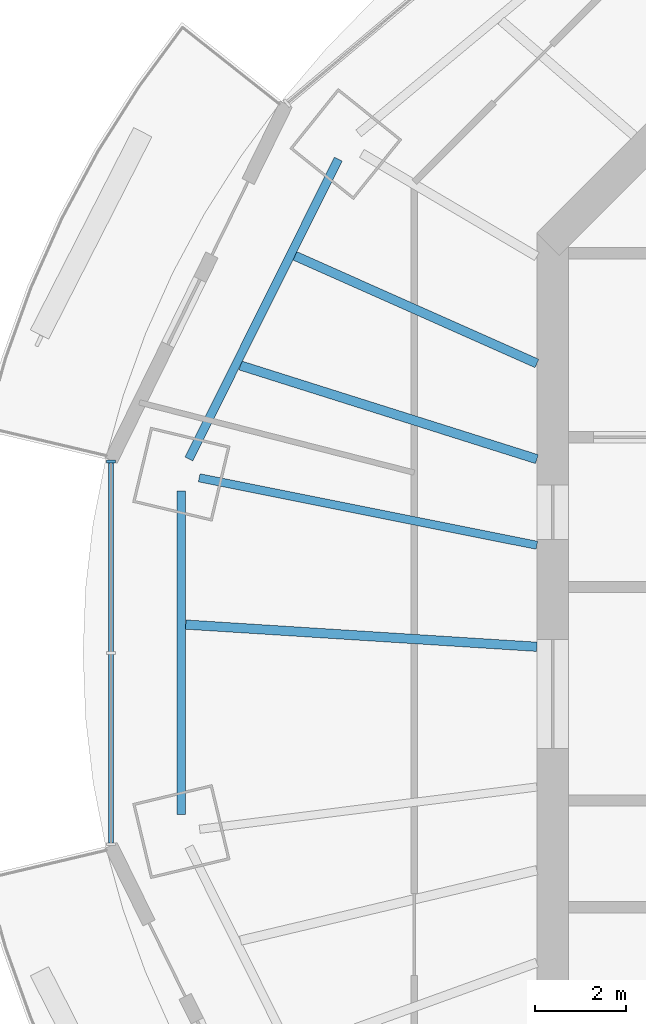
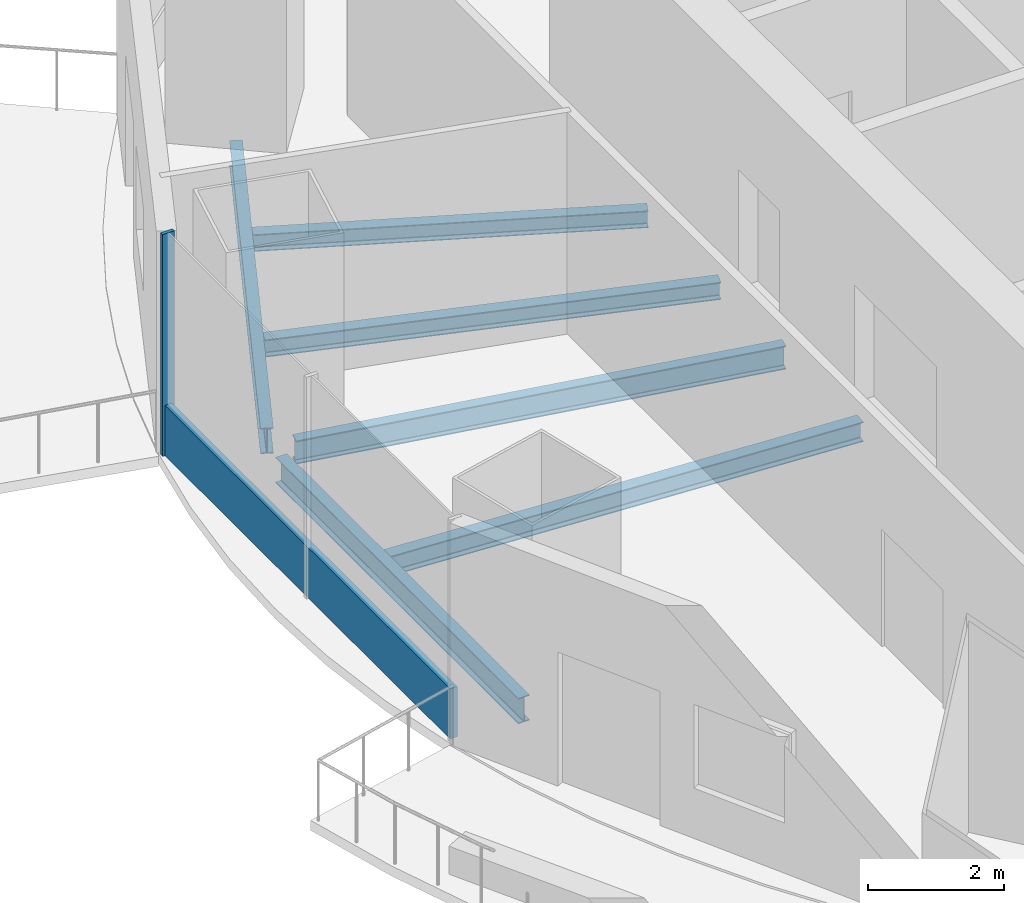
# One storey, part 3 of 16: 6 beams, 2 members, 1 element without a shape of its own.
"""IFC4 building model written with IfcOpenShell, lengths in metres."""

from ifc_helpers import new_model, si_unit, direction, frame, origin, origin_2d, place, context, subcontext, project, spatial, rectangle, i_section, extrude, material, material_profile, profile_set, type_object, element, aggregate, save


model = new_model("IFC4")

# Units and contexts
model_context = context("Model", 3, precision=1e-05, world=origin(), true_north=direction((0.0, 1.0)))
body_context = subcontext(model_context, "Body", "Model", "MODEL_VIEW")
ifc_project = project(units=[si_unit("LENGTHUNIT", "METRE"), si_unit("AREAUNIT", "SQUARE_METRE"), si_unit("VOLUMEUNIT", "CUBIC_METRE"), si_unit("PLANEANGLEUNIT", "RADIAN"), si_unit("MASSUNIT", "GRAM", prefix="KILO")], contexts=[model_context])

# Site, building, storey
site_placement = place(None, origin())
site = spatial("IfcSite", under=ifc_project, at=site_placement, CompositionType="ELEMENT")
building_placement = place(site_placement, origin())
building = spatial("IfcBuilding", under=site, at=building_placement, Name="Marenthal Gate Tower", CompositionType="ELEMENT")
storey_placement = place(building_placement, frame((0.0, 0.0, 379.949951171875)))
storey = spatial("IfcBuildingStorey", under=building, at=storey_placement, Name="L86", CompositionType="ELEMENT", Elevation=379.949951171875)

# Curtain wall, members
ifc_material_1 = material(Name="Aluminium and glass", Category="aluminium")
curtain_wall_type = type_object("IfcCurtainWallType", Name="Curtain wall typical high", PredefinedType="NOTDEFINED", material=ifc_material_1)
curtain_wall_placement = place(storey_placement, origin())
curtain_wall = element("IfcCurtainWall", 1, at=curtain_wall_placement, inside=storey, type_object=curtain_wall_type, Name="Curtain wall L86 bay 8", PredefinedType="NOTDEFINED")
ifc_material_2 = material(Name="Aluminium", Category="aluminium")
ifc_material_profile_1 = material_profile(ifc_material_2, rectangle(XDim=0.199951171875, YDim=0.06005859375, at=origin_2d()), Name="60x200 aluminium mullion")
ifc_profile_set_1 = profile_set([ifc_material_profile_1], Name="Aluminium")
member_type_1 = type_object("IfcMemberType", Name="Mullion 60x200 typical high", PredefinedType="MULLION", material=ifc_profile_set_1)
member_1_placement = place(storey_placement, frame((-25.725830078125, 5.1123046875, 0.0), z_axis=(0.0, 0.0, 1.0), x_axis=(1.0, 0.0, 0.0)))
member_1 = element("IfcMember", 2, at=member_1_placement, type_object=member_type_1, Name="Mullion L86 bay 8.1", PredefinedType="MULLION", context=body_context, shape_type="SweptSolid", body=[
    extrude(rectangle(XDim=0.199951171875, YDim=0.06005859375, at=origin_2d()), origin(), (0.0, 0.0, 1.0), 3.969970703125),
])
ifc_material_3 = material(Name="Aluminium", Category="aluminium")
ifc_material_profile_2 = material_profile(ifc_material_3, rectangle(XDim=0.1201171875, YDim=0.89990234375, at=origin_2d()), Name="120x900 aluminium transom")
ifc_profile_set_2 = profile_set([ifc_material_profile_2], Name="Aluminium")
member_type_2 = type_object("IfcMemberType", Name="Transom 120x900 typical high", PredefinedType="USERDEFINED", material=ifc_profile_set_2)
member_2_placement = place(storey_placement, frame((-25.725830078125, 5.082275390625, 0.449951171875), z_axis=(0.0, -1.0, 0.0), x_axis=(1.0, 0.0, 0.0)))
member_2 = element("IfcMember", 3, at=member_2_placement, type_object=member_type_2, Name="Transom L86 bay 8", ObjectType="TRANSOM", PredefinedType="USERDEFINED", context=body_context, shape_type="SweptSolid", body=[
    extrude(rectangle(XDim=0.1201171875, YDim=0.89990234375, at=origin_2d()), origin(), (0.0, 0.0, 1.0), 8.364501953125),
])
aggregate(curtain_wall, [member_1, member_2])

# Beams
ifc_material_4 = material(Name="Steel S355", Category="steel")
ifc_material_profile_3 = material_profile(ifc_material_4, i_section(OverallWidth=0.202880859375, OverallDepth=0.302001953125, WebThickness=0.007568359375, FlangeThickness=0.01318359375, FilletRadius=0.0126953125, at=origin_2d()), Name="W310X60")
ifc_profile_set_3 = profile_set([ifc_material_profile_3], Name="Steel S355")
beam_type_1 = type_object("IfcBeamType", Name="W310X60 beam", PredefinedType="BEAM", material=ifc_profile_set_3)
beam_1_placement = place(storey_placement, frame((-21.67578125, 9.64111328125, -0.3310546875), z_axis=(0.913704426496, -0.406379405238, 0.0), x_axis=(0.406379405238, 0.913704426496, 0.0)))
element("IfcBeam", 4, at=beam_1_placement, inside=storey, type_object=beam_type_1, Name="BM-L86-26", PredefinedType="BEAM", context=body_context, shape_type="SweptSolid", body=[
    extrude(i_section(OverallWidth=0.202880859375, OverallDepth=0.302001953125, WebThickness=0.007568359375, FlangeThickness=0.01318359375, FilletRadius=0.0126953125, at=origin_2d()), origin(), (0.0, 0.0, 1.0), 5.82861328125),
])
ifc_material_5 = material(Name="Steel S355", Category="steel")
ifc_material_profile_4 = material_profile(ifc_material_5, i_section(OverallWidth=0.205078125, OverallDepth=0.31005859375, WebThickness=0.009521484375, FlangeThickness=0.016357421875, FilletRadius=0.0126953125, at=origin_2d()), Name="W310X74")
ifc_profile_set_4 = profile_set([ifc_material_profile_4], Name="Steel S355")
beam_type_2 = type_object("IfcBeamType", Name="W310X74 beam", PredefinedType="BEAM", material=ifc_profile_set_4)
beam_2_placement = place(storey_placement, frame((-22.87744140625, 7.227783203125, -0.3349609375), z_axis=(0.953541151645, -0.301262795779, 0.0), x_axis=(0.301262795779, 0.953541151645, 0.0)))
element("IfcBeam", 5, at=beam_2_placement, inside=storey, type_object=beam_type_2, Name="BM-L86-27", PredefinedType="BEAM", context=body_context, shape_type="SweptSolid", body=[
    extrude(i_section(OverallWidth=0.205078125, OverallDepth=0.31005859375, WebThickness=0.009521484375, FlangeThickness=0.016357421875, FilletRadius=0.0126953125, at=origin_2d()), origin(), (0.0, 0.0, 1.0), 6.845458984375),
])
ifc_material_6 = material(Name="Steel S355", Category="steel")
ifc_material_profile_5 = material_profile(ifc_material_6, i_section(OverallWidth=0.205078125, OverallDepth=0.35302734375, WebThickness=0.009521484375, FlangeThickness=0.016845703125, FilletRadius=0.014892578125, at=origin_2d()), Name="W360X79")
ifc_profile_set_5 = profile_set([ifc_material_profile_5], Name="Steel S355")
beam_type_3 = type_object("IfcBeamType", Name="W360X79 beam", PredefinedType="BEAM", material=ifc_profile_set_5)
beam_3_placement = place(storey_placement, frame((-24.080810546875, 1.5234375, -0.3564453125), z_axis=(0.998003339488, -0.063161177715, 0.0), x_axis=(0.063161177715, 0.998003339488, 0.0)))
element("IfcBeam", 6, at=beam_3_placement, inside=storey, type_object=beam_type_3, Name="BM-L86-28", PredefinedType="BEAM", context=body_context, shape_type="SweptSolid", body=[
    extrude(i_section(OverallWidth=0.205078125, OverallDepth=0.35302734375, WebThickness=0.009521484375, FlangeThickness=0.016845703125, FilletRadius=0.014892578125, at=origin_2d()), origin(), (0.0, 0.0, 1.0), 7.74609375),
])
ifc_material_7 = material(Name="Steel S355", Category="steel")
ifc_material_profile_6 = material_profile(ifc_material_7, i_section(OverallWidth=0.180908203125, OverallDepth=0.4169921875, WebThickness=0.010986328125, FlangeThickness=0.018310546875, FilletRadius=0.01025390625, at=origin_2d()), Name="W410X85")
ifc_profile_set_6 = profile_set([ifc_material_profile_6], Name="Steel S355")
beam_type_4 = type_object("IfcBeamType", Name="W410X85 beam", PredefinedType="BEAM", material=ifc_profile_set_6)
beam_4_placement = place(storey_placement, frame((-23.783447265625, 4.75537109375, -0.388427734375), z_axis=(0.980595537477, -0.196041811562, 0.0), x_axis=(0.196041811562, 0.980595537477, 0.0)))
element("IfcBeam", 7, at=beam_4_placement, inside=storey, type_object=beam_type_4, Name="BM-L86-08", PredefinedType="BEAM", context=body_context, shape_type="SweptSolid", body=[
    extrude(i_section(OverallWidth=0.180908203125, OverallDepth=0.4169921875, WebThickness=0.010986328125, FlangeThickness=0.018310546875, FilletRadius=0.01025390625, at=origin_2d()), origin(), (0.0, 0.0, 1.0), 7.580322265625),
])
ifc_material_8 = material(Name="Steel S355", Category="steel")
ifc_material_profile_7 = material_profile(ifc_material_8, i_section(OverallWidth=0.19091796875, OverallDepth=0.45703125, WebThickness=0.009033203125, FlangeThickness=0.014404296875, FilletRadius=0.01025390625, at=origin_2d()), Name="W460X74")
ifc_profile_set_7 = profile_set([ifc_material_profile_7], Name="Steel S355")
beam_type_5 = type_object("IfcBeamType", Name="W460X74 beam", PredefinedType="BEAM", material=ifc_profile_set_7)
beam_5_placement = place(storey_placement, frame((-20.721435546875, 11.77197265625, -0.408447265625), z_axis=(-0.445757037606, -0.895153988666, 0.0), x_axis=(0.895153988666, -0.445757037606, 0.0)))
element("IfcBeam", 8, at=beam_5_placement, inside=storey, type_object=beam_type_5, Name="BM-L86-45", PredefinedType="BEAM", context=body_context, shape_type="SweptSolid", body=[
    extrude(i_section(OverallWidth=0.19091796875, OverallDepth=0.45703125, WebThickness=0.009033203125, FlangeThickness=0.014404296875, FilletRadius=0.01025390625, at=origin_2d()), origin(), (0.0, 0.0, 1.0), 7.3779296875),
])
beam_6_placement = place(storey_placement, frame((-24.17626953125, 4.4599609375, -0.408447265625), z_axis=(0.0, -1.0, 0.0), x_axis=(1.0, 0.0, 0.0)))
element("IfcBeam", 9, at=beam_6_placement, inside=storey, type_object=beam_type_5, Name="BM-L86-46", PredefinedType="BEAM", context=body_context, shape_type="SweptSolid", body=[
    extrude(i_section(OverallWidth=0.19091796875, OverallDepth=0.45703125, WebThickness=0.009033203125, FlangeThickness=0.014404296875, FilletRadius=0.01025390625, at=origin_2d()), origin(), (0.0, 0.0, 1.0), 7.119873046875),
])

save(model, "model.ifc")
